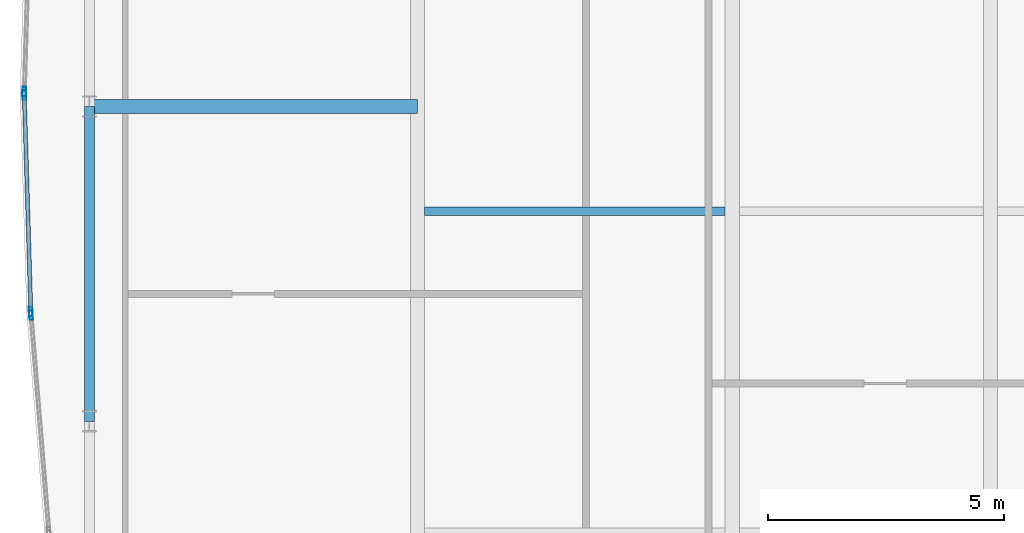
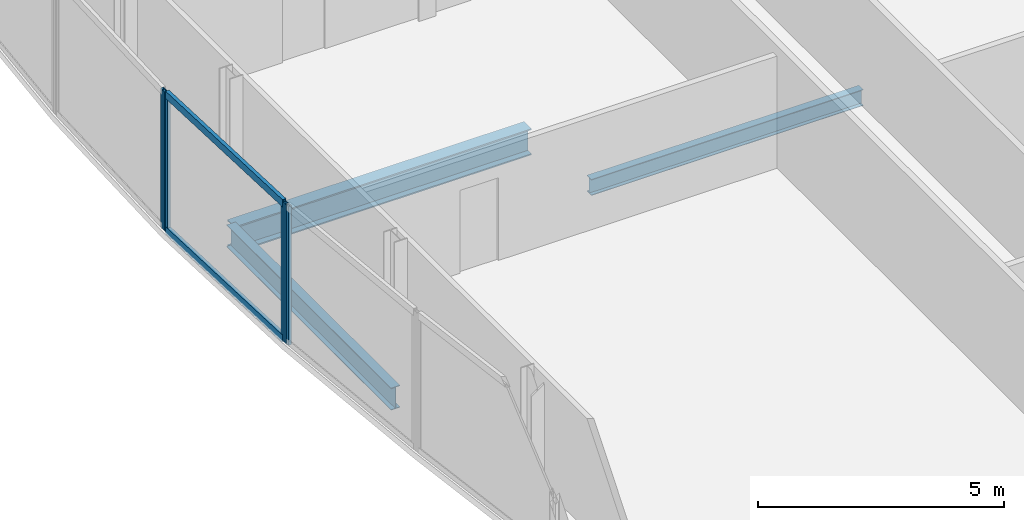
# One storey, part 8 of 25: 6 members, 3 beams, 3 elements without a shape of their own.
"""IFC4 building model written with IfcOpenShell, lengths in metres."""

import ifcopenshell
import ifcopenshell.guid

model = None  # the IFC model being written
_history = None  # IfcOwnerHistory: only IFC2X3 demands one
_inside = {}  # id of a spatial element -> (the spatial element, [elements in it])
_under = {}  # id of a project, library or spatial element -> (it, [spatial elements below it])
_declared = {}  # id of a project -> (the project, [libraries it declares])
_typed = {}  # id of a type object -> (the type object, [elements of that type])
_made_of = {}  # id of a material, layer set ... -> (it, [elements and type objects made of it])


def new_model(schema):
    """Start an empty IFC model of exactly this schema.

    Asked for "IFC4X3", IfcOpenShell would pick the latest addendum, in which some entities
    have other attributes; the version numbers below select the first issue.
    IFC2X3 requires an IfcOwnerHistory on every rooted entity: one is made here for all.
    """
    global model, _history
    if schema == "IFC4X3":
        model = ifcopenshell.file(schema_version=(4, 3, 0, 0))
    else:
        model = ifcopenshell.file(schema=schema)
    _inside.clear()
    _under.clear()
    _declared.clear()
    _typed.clear()
    _made_of.clear()
    _history = None
    if model.schema == "IFC2X3":
        org = make("IfcOrganization", Name="unknown")
        user = make(
            "IfcPersonAndOrganization",
            ThePerson=make("IfcPerson", FamilyName="unknown"),
            TheOrganization=org,
        )
        app = make(
            "IfcApplication",
            ApplicationDeveloper=org,
            Version="unknown",
            ApplicationFullName="unknown",
            ApplicationIdentifier="unknown",
        )
        _history = make(
            "IfcOwnerHistory",
            OwningUser=user,
            OwningApplication=app,
            ChangeAction="ADDED",
            CreationDate=0,
        )
    return model


def make(cls, **values):
    """One entity of the class cls with the attributes given. An attribute that is None is left unset."""
    return model.create_entity(
        cls, **{name: value for name, value in values.items() if value is not None}
    )


def rooted(cls, **values):
    """An entity with a GlobalId (a new one), such as an element, a storey or a relation."""
    return make(cls, GlobalId=ifcopenshell.guid.new(), OwnerHistory=_history, **values)


def si_unit(unit_type, name, prefix=None):
    """IfcSIUnit, for example si_unit("LENGTHUNIT", "METRE", prefix="MILLI")."""
    return make("IfcSIUnit", UnitType=unit_type, Prefix=prefix, Name=name)


def assignment(units):
    """IfcUnitAssignment: the units of a project."""
    return None if units is None else make("IfcUnitAssignment", Units=units)


def point(xyz):
    """IfcCartesianPoint."""
    return None if xyz is None else make("IfcCartesianPoint", Coordinates=xyz)


def direction(xyz):
    """IfcDirection."""
    return None if xyz is None else make("IfcDirection", DirectionRatios=xyz)


def frame(location, z_axis=None, x_axis=None):
    """IfcAxis2Placement3D, a coordinate frame: its origin and axes. An axis left out is left unset."""
    return make(
        "IfcAxis2Placement3D",
        Location=point(location),
        Axis=direction(z_axis),
        RefDirection=direction(x_axis),
    )


def frame_2d(location, x_axis=None):
    """IfcAxis2Placement2D, a coordinate frame in the plane: its origin and x axis."""
    return make(
        "IfcAxis2Placement2D", Location=point(location), RefDirection=direction(x_axis)
    )


def origin():
    """The frame at (0, 0, 0) with its axes left unset."""
    return frame((0.0, 0.0, 0.0))


def origin_2d():
    """The frame at (0, 0) in the plane with its x axis left unset."""
    return frame_2d((0.0, 0.0))


def place(relative_to, where):
    """IfcLocalPlacement: puts the frame where relative to a parent placement (None: the world)."""
    return make(
        "IfcLocalPlacement", PlacementRelTo=relative_to, RelativePlacement=where
    )


def context(
    kind, dimensions, precision=None, world=None, true_north=None, identifier=None
):
    """IfcGeometricRepresentationContext, for example the 3D "Model" context."""
    return make(
        "IfcGeometricRepresentationContext",
        ContextIdentifier=identifier,
        ContextType=kind,
        CoordinateSpaceDimension=dimensions,
        Precision=precision,
        WorldCoordinateSystem=world,
        TrueNorth=true_north,
    )


def subcontext(parent, identifier, kind, view, scale=None):
    """IfcGeometricRepresentationSubContext, for example "Body" below "Model"."""
    return make(
        "IfcGeometricRepresentationSubContext",
        ContextIdentifier=identifier,
        ContextType=kind,
        ParentContext=parent,
        TargetScale=scale,
        TargetView=view,
    )


def project(units=None, contexts=None):
    """IfcProject with its units and contexts."""
    return rooted(
        "IfcProject",
        Name="project",
        RepresentationContexts=contexts,
        UnitsInContext=assignment(units),
    )


def spatial(cls, under=None, at=None, **own):
    """A site, building, storey or space (cls), placed at a placement, below another one or the project."""
    s = rooted(cls, ObjectPlacement=at, **own)
    if under is not None:
        _under.setdefault(under.id(), (under, []))[1].append(s)
    return s


def profile(cls, at=None, kind="AREA", **sizes):
    """A parametric profile (cls). Its sizes go by their IFC names, for example OverallWidth=200.0."""
    return make(cls, ProfileType=kind, Position=at, **sizes)


def hollow_rectangle(**sizes):
    """IfcRectangleHollowProfileDef."""
    return profile("IfcRectangleHollowProfileDef", **sizes)


def i_section(**sizes):
    """IfcIShapeProfileDef."""
    return profile("IfcIShapeProfileDef", **sizes)


def extrude(swept, where, along, depth):
    """IfcExtrudedAreaSolid: the profile swept, set in the frame where, extruded along a direction by depth."""
    return make(
        "IfcExtrudedAreaSolid",
        SweptArea=swept,
        Position=where,
        ExtrudedDirection=direction(along),
        Depth=depth,
    )


def shape(context_of_items, identifier, shape_type, items):
    """IfcShapeRepresentation: the items that make up one representation, for example the "Body"."""
    return make(
        "IfcShapeRepresentation",
        ContextOfItems=context_of_items,
        RepresentationIdentifier=identifier,
        RepresentationType=shape_type,
        Items=items,
    )


def material(Name=None, Category=None):
    """IfcMaterial."""
    return make("IfcMaterial", Name=Name, Category=Category)


def material_profile(
    of_material, cross_section, Name=None, Category=None, Priority=None
):
    """IfcMaterialProfile: a cross section and its material."""
    return make(
        "IfcMaterialProfile",
        Name=Name,
        Material=of_material,
        Profile=cross_section,
        Priority=Priority,
        Category=Category,
    )


def profile_set(profiles, Name=None, composite=None):
    """IfcMaterialProfileSet."""
    return make(
        "IfcMaterialProfileSet",
        Name=Name,
        MaterialProfiles=profiles,
        CompositeProfile=composite,
    )


def made_of(thing, what):
    """Note that an element or type object is made of a material, layer set ...; save() writes the relation."""
    if what is not None:
        _made_of.setdefault(what.id(), (what, []))[1].append(thing)
    return thing


def type_object(cls, material=None, **own):
    """A type object (cls), such as IfcWallType, which elements share."""
    return made_of(rooted(cls, **own), material)


def element(
    cls,
    number,
    at=None,
    inside=None,
    cuts=None,
    type_object=None,
    material=None,
    context=None,
    identifier="Body",
    shape_type=None,
    held_by="IfcProductDefinitionShape",
    body=None,
    shapes=None,
    **own,
):
    """One element of the class cls, such as IfcWall. Its Tag is "e" and its number.

    at: its placement. inside: the storey or other place that contains it. cuts: it is an
    opening in that element (IfcRelVoidsElement). A single representation is given by context,
    identifier, shape_type and body (its items); several are given by shapes. held_by: the class
    of the entity that holds the representations. save() writes the other relations.
    """
    e = rooted(cls, Tag="e%d" % number, ObjectPlacement=at, **own)
    if body is not None:
        shapes = [shape(context, identifier, shape_type, body)]
    if shapes is not None:
        e.Representation = make(held_by, Representations=shapes)
    if inside is not None:
        _inside.setdefault(inside.id(), (inside, []))[1].append(e)
    if cuts is not None:
        rooted(
            "IfcRelVoidsElement", RelatingBuildingElement=cuts, RelatedOpeningElement=e
        )
    if type_object is not None:
        _typed.setdefault(type_object.id(), (type_object, []))[1].append(e)
    return made_of(e, material)


def aggregate(whole, parts):
    """IfcRelAggregates: a whole, such as a stair, and the parts it consists of."""
    return rooted("IfcRelAggregates", RelatingObject=whole, RelatedObjects=parts)


def save(model, path):
    """Write the relations noted so far, then the file.

    IfcRelAggregates (storeys below a building ...), IfcRelContainedInSpatialStructure (elements
    in a storey), IfcRelDefinesByType, IfcRelAssociatesMaterial and IfcRelDeclares: one each for
    every whole, place, type object, material and project.
    """
    for whole, parts in _under.values():
        aggregate(whole, parts)
    for where, things in _inside.values():
        rooted(
            "IfcRelContainedInSpatialStructure",
            RelatedElements=things,
            RelatingStructure=where,
        )
    for kind, things in _typed.values():
        rooted("IfcRelDefinesByType", RelatedObjects=things, RelatingType=kind)
    for what, things in _made_of.values():
        rooted("IfcRelAssociatesMaterial", RelatedObjects=things, RelatingMaterial=what)
    for by, libraries in _declared.values():
        rooted("IfcRelDeclares", RelatingContext=by, RelatedDefinitions=libraries)
    model.write(path)


model = new_model("IFC4")

# Units and contexts
model_context = context("Model", 3, precision=1e-05, world=origin(), true_north=direction((0.0, 1.0)))
body_context = subcontext(model_context, "Body", "Model", "MODEL_VIEW")
ifc_project = project(units=[si_unit("LENGTHUNIT", "METRE"), si_unit("AREAUNIT", "SQUARE_METRE"), si_unit("VOLUMEUNIT", "CUBIC_METRE"), si_unit("PLANEANGLEUNIT", "RADIAN"), si_unit("MASSUNIT", "GRAM", prefix="KILO")], contexts=[model_context])

# Site, building, storey
site_placement = place(None, origin())
site = spatial("IfcSite", under=ifc_project, at=site_placement, CompositionType="ELEMENT")
building_placement = place(site_placement, origin())
building = spatial("IfcBuilding", under=site, at=building_placement, Name="Khoronbel Lancet Exchange", CompositionType="ELEMENT")
storey_placement = place(building_placement, frame((0.0, 0.0, 295.0)))
storey = spatial("IfcBuildingStorey", under=building, at=storey_placement, Name="L76", CompositionType="ELEMENT", Elevation=295.0)

# Beams
ifc_material_1 = material(Name="Steel S355", Category="steel")
ifc_material_profile_1 = material_profile(ifc_material_1, i_section(OverallWidth=0.300048828125, OverallDepth=0.64990234375, WebThickness=0.01611328125, FlangeThickness=0.031005859375, at=origin_2d()), Name="HEB 650")
ifc_profile_set_1 = profile_set([ifc_material_profile_1], Name="Steel S355")
beam_type_1 = type_object("IfcBeamType", Name="BM-BG4", PredefinedType="BEAM", material=ifc_profile_set_1)
beam_1_placement = place(storey_placement, frame((11.27001953125, 31.425048828125, -0.485107421875), z_axis=(1.0, 0.0, 0.0), x_axis=(0.0, 1.0, 0.0)))
element("IfcBeam", 1, at=beam_1_placement, inside=storey, type_object=beam_type_1, Name="Level L76 west lens tie girder LG2W", PredefinedType="BEAM", context=body_context, shape_type="SweptSolid", body=[
    extrude(i_section(OverallWidth=0.300048828125, OverallDepth=0.64990234375, WebThickness=0.01611328125, FlangeThickness=0.031005859375, at=origin_2d()), origin(), (0.0, 0.0, 1.0), 6.955078125),
])
ifc_material_profile_2 = material_profile(ifc_material_1, i_section(OverallWidth=0.179931640625, OverallDepth=0.39990234375, WebThickness=0.008544921875, FlangeThickness=0.013427734375, at=origin_2d()), Name="IPE 400")
ifc_profile_set_2 = profile_set([ifc_material_profile_2], Name="Steel S355")
beam_type_2 = type_object("IfcBeamType", Name="BM-BJ5", PredefinedType="JOIST", material=ifc_profile_set_2)
beam_2_placement = place(storey_placement, frame((18.375, 29.199951171875, -0.360107421875), z_axis=(1.0, 0.0, 0.0), x_axis=(0.0, 1.0, 0.0)))
element("IfcBeam", 2, at=beam_2_placement, inside=storey, type_object=beam_type_2, Name="Level L76 secondary composite joist J11", PredefinedType="JOIST", context=body_context, shape_type="SweptSolid", body=[
    extrude(i_section(OverallWidth=0.179931640625, OverallDepth=0.39990234375, WebThickness=0.008544921875, FlangeThickness=0.013427734375, at=origin_2d()), origin(), (0.0, 0.0, 1.0), 6.375),
])
ifc_material_profile_3 = material_profile(ifc_material_1, i_section(OverallWidth=0.2099609375, OverallDepth=0.550048828125, WebThickness=0.010986328125, FlangeThickness=0.01708984375, at=origin_2d()), Name="IPE 550")
ifc_profile_set_3 = profile_set([ifc_material_profile_3], Name="Steel S355")
beam_type_3 = type_object("IfcBeamType", Name="BM-BSP3", PredefinedType="SPANDREL", material=ifc_profile_set_3)
beam_3_placement = place(storey_placement, frame((11.27001953125, 31.425048828125, -0.43505859375), z_axis=(0.0, -1.0, 0.0), x_axis=(1.0, 0.0, 0.0)))
element("IfcBeam", 3, at=beam_3_placement, inside=storey, type_object=beam_type_3, Name="Level L76 perimeter spandrel beam SP19", PredefinedType="SPANDREL", context=body_context, shape_type="SweptSolid", body=[
    extrude(i_section(OverallWidth=0.2099609375, OverallDepth=0.550048828125, WebThickness=0.010986328125, FlangeThickness=0.01708984375, at=origin_2d()), origin(), (0.0, 0.0, 1.0), 6.675048828125),
])

# Curtain wall, member
ifc_material_2 = material(Name="Low-E Solar Control Insulating Glass", Category="glass")
curtain_wall_type = type_object("IfcCurtainWallType", Name="CW-4", PredefinedType="NOTDEFINED", material=ifc_material_2)
curtain_wall_1_placement = place(storey_placement, origin())
curtain_wall_1 = element("IfcCurtainWall", 4, at=curtain_wall_1_placement, inside=storey, type_object=curtain_wall_type, Name="Unitised curtain wall CW-L76-E05", PredefinedType="NOTDEFINED")
ifc_material_3 = material(Name="Bronze-Anodised Aluminium 6063-T6", Category="aluminium")
ifc_material_profile_4 = material_profile(ifc_material_3, hollow_rectangle(XDim=0.074951171875, YDim=0.199951171875, WallThickness=0.0048828125, at=origin_2d()), Name="ALU MULLION 75x200")
ifc_profile_set_4 = profile_set([ifc_material_profile_4], Name="Bronze-Anodised Aluminium 6063-T6")
member_type_1 = type_object("IfcMemberType", Name="MEM-CWM2", PredefinedType="MULLION", material=ifc_profile_set_4)
member_1_placement = place(storey_placement, frame((10.03369140625, 27.0009765625, 0.0), z_axis=(0.0, 0.0, 1.0), x_axis=(-0.996626353667, -0.082072596992, 0.0)))
member_1 = element("IfcMember", 5, at=member_1_placement, type_object=member_type_1, Name="CW4 mullion 2", PredefinedType="MULLION", context=body_context, shape_type="SweptSolid", body=[
    extrude(hollow_rectangle(XDim=0.074951171875, YDim=0.199951171875, WallThickness=0.0048828125, at=origin_2d()), origin(), (0.0, 0.0, 1.0), 3.43994140625),
])
aggregate(curtain_wall_1, [member_1])

# Curtain wall, members
curtain_wall_2_placement = place(storey_placement, origin())
curtain_wall_2 = element("IfcCurtainWall", 6, at=curtain_wall_2_placement, inside=storey, type_object=curtain_wall_type, Name="Unitised curtain wall CW-L76-E06", PredefinedType="NOTDEFINED")
member_2_placement = place(storey_placement, frame((10.029541015625, 27.075927734375, 0.0), z_axis=(0.0, 0.0, 1.0), x_axis=(-0.999545457549, -0.030147608411, 0.0)))
member_2 = element("IfcMember", 7, at=member_2_placement, type_object=member_type_1, Name="CW4 mullion 1", PredefinedType="MULLION", context=body_context, shape_type="SweptSolid", body=[
    extrude(hollow_rectangle(XDim=0.074951171875, YDim=0.199951171875, WallThickness=0.0048828125, at=origin_2d()), origin(), (0.0, 0.0, 1.0), 3.43994140625),
])
member_3_placement = place(storey_placement, frame((9.89111328125, 31.66259765625, 0.0), z_axis=(0.0, 0.0, 1.0), x_axis=(-0.999545457549, -0.030147608411, 0.0)))
member_3 = element("IfcMember", 8, at=member_3_placement, type_object=member_type_1, Name="CW4 mullion 2", PredefinedType="MULLION", context=body_context, shape_type="SweptSolid", body=[
    extrude(hollow_rectangle(XDim=0.074951171875, YDim=0.199951171875, WallThickness=0.0048828125, at=origin_2d()), origin(), (0.0, 0.0, 1.0), 3.43994140625),
])

# Curtain wall, member
curtain_wall_3_placement = place(storey_placement, origin())
curtain_wall_3 = element("IfcCurtainWall", 9, at=curtain_wall_3_placement, inside=storey, type_object=curtain_wall_type, Name="Unitised curtain wall CW-L76-E07", PredefinedType="NOTDEFINED")
member_4_placement = place(storey_placement, frame((9.89111328125, 31.737548828125, 0.0), z_axis=(0.0, 0.0, 1.0), x_axis=(-0.999545457549, 0.030147608411, 0.0)))
member_4 = element("IfcMember", 10, at=member_4_placement, type_object=member_type_1, Name="CW4 mullion 1", PredefinedType="MULLION", context=body_context, shape_type="SweptSolid", body=[
    extrude(hollow_rectangle(XDim=0.074951171875, YDim=0.199951171875, WallThickness=0.0048828125, at=origin_2d()), origin(), (0.0, 0.0, 1.0), 3.43994140625),
])
aggregate(curtain_wall_3, [member_4])

# Member
ifc_material_profile_5 = material_profile(ifc_material_3, hollow_rectangle(XDim=0.0849609375, YDim=0.179931640625, WallThickness=0.0048828125, at=origin_2d()), Name="ALU TRANSOM 85x180")
ifc_profile_set_5 = profile_set([ifc_material_profile_5], Name="Bronze-Anodised Aluminium 6063-T6")
member_type_2 = type_object("IfcMemberType", Name="MEM-CWT1", PredefinedType="USERDEFINED", material=ifc_profile_set_5)
member_5_placement = place(storey_placement, frame((10.0283203125, 27.11328125, 0.04248046875), z_axis=(-0.030127011135, 0.999546078578, 0.0), x_axis=(-0.999546078578, -0.030127011135, 0.0)))
member_5 = element("IfcMember", 11, at=member_5_placement, type_object=member_type_2, Name="CW4 transom 1.1", ObjectType="TRANSOM", PredefinedType="USERDEFINED", context=body_context, shape_type="SweptSolid", body=[
    extrude(hollow_rectangle(XDim=0.0849609375, YDim=0.179931640625, WallThickness=0.0048828125, at=origin_2d()), origin(), (0.0, 0.0, 1.0), 4.513671875),
])

member_6_placement = place(storey_placement, frame((10.0283203125, 27.11328125, 3.3974609375), z_axis=(-0.030127011135, 0.999546078578, 0.0), x_axis=(-0.999546078578, -0.030127011135, 0.0)))
member_6 = element("IfcMember", 12, at=member_6_placement, type_object=member_type_2, Name="CW4 transom 1.2", ObjectType="TRANSOM", PredefinedType="USERDEFINED", context=body_context, shape_type="SweptSolid", body=[
    extrude(hollow_rectangle(XDim=0.0849609375, YDim=0.179931640625, WallThickness=0.0048828125, at=origin_2d()), origin(), (0.0, 0.0, 1.0), 4.513671875),
])

aggregate(curtain_wall_2, [member_2, member_3, member_5, member_6])

save(model, "model.ifc")
